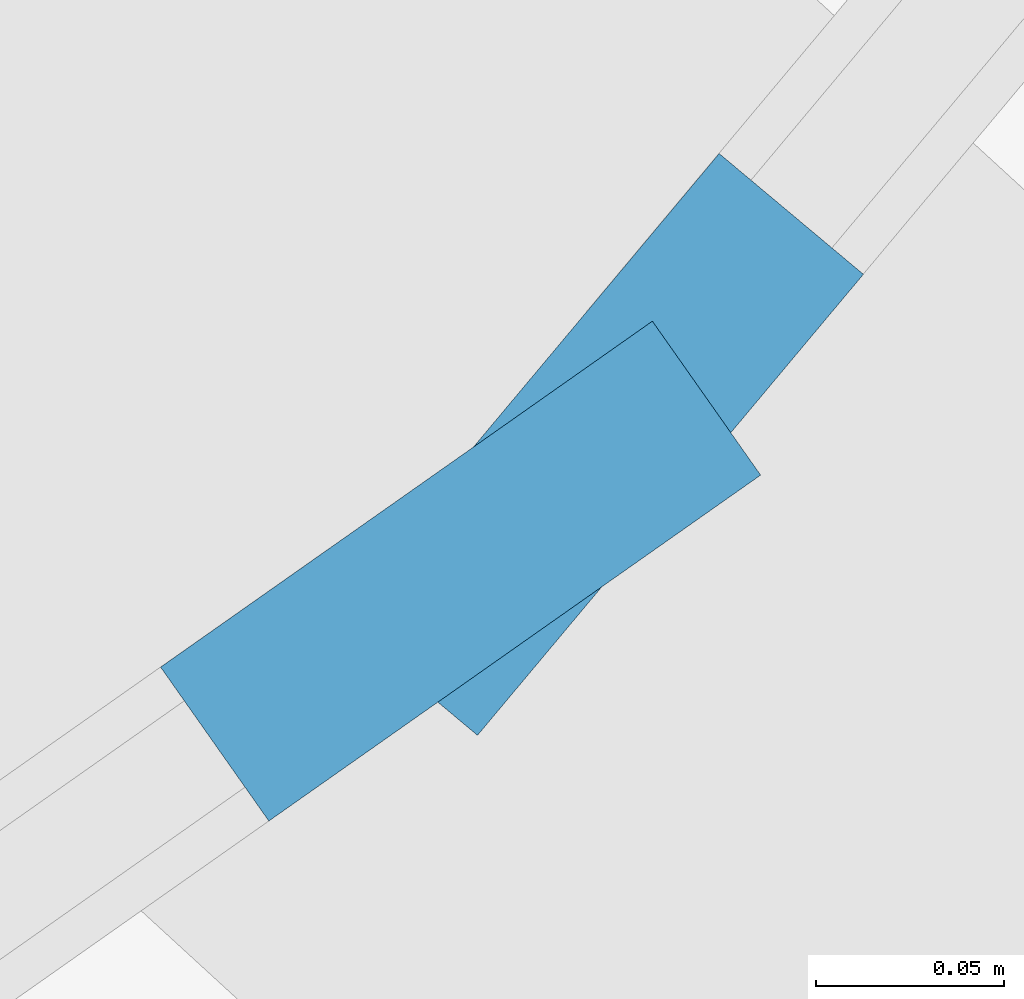
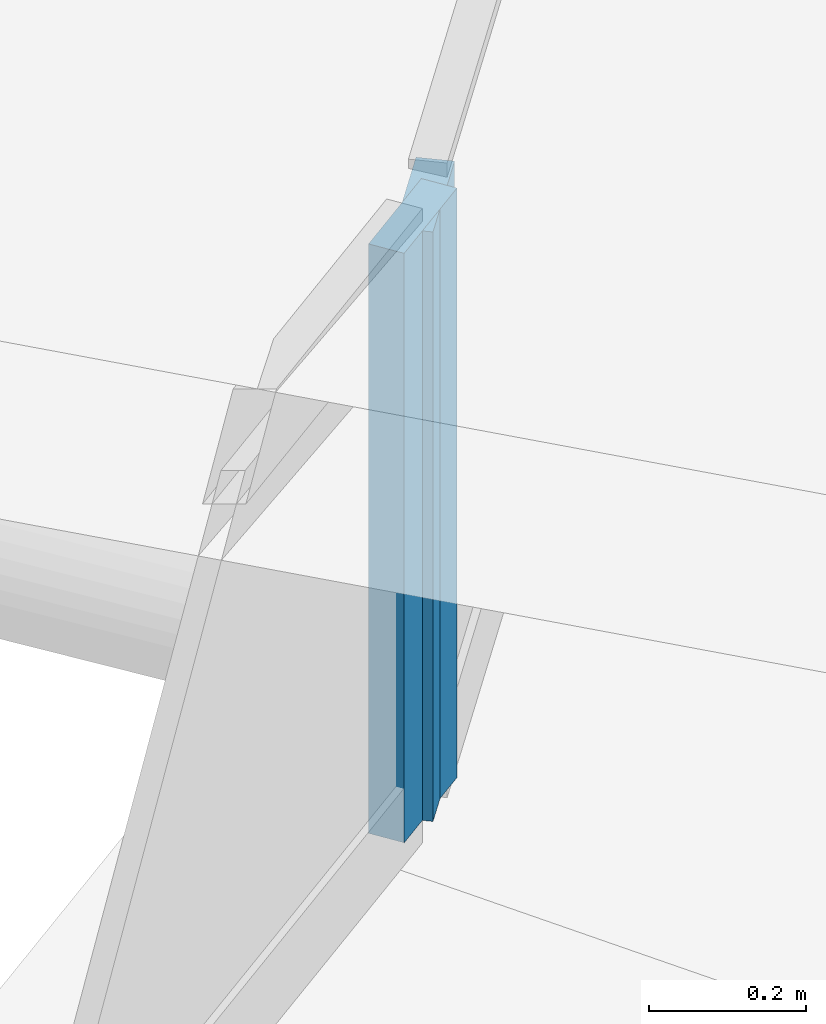
# One storey, part 128 of 173: 2 members, 2 elements without a shape of their own.
"""IFC4 building model written with IfcOpenShell, lengths in metres."""

import ifcopenshell
import ifcopenshell.guid

model = None  # the IFC model being written
_history = None  # IfcOwnerHistory: only IFC2X3 demands one
_inside = {}  # id of a spatial element -> (the spatial element, [elements in it])
_under = {}  # id of a project, library or spatial element -> (it, [spatial elements below it])
_declared = {}  # id of a project -> (the project, [libraries it declares])
_typed = {}  # id of a type object -> (the type object, [elements of that type])
_made_of = {}  # id of a material, layer set ... -> (it, [elements and type objects made of it])


def new_model(schema):
    """Start an empty IFC model of exactly this schema.

    Asked for "IFC4X3", IfcOpenShell would pick the latest addendum, in which some entities
    have other attributes; the version numbers below select the first issue.
    IFC2X3 requires an IfcOwnerHistory on every rooted entity: one is made here for all.
    """
    global model, _history
    if schema == "IFC4X3":
        model = ifcopenshell.file(schema_version=(4, 3, 0, 0))
    else:
        model = ifcopenshell.file(schema=schema)
    _inside.clear()
    _under.clear()
    _declared.clear()
    _typed.clear()
    _made_of.clear()
    _history = None
    if model.schema == "IFC2X3":
        org = make("IfcOrganization", Name="unknown")
        user = make(
            "IfcPersonAndOrganization",
            ThePerson=make("IfcPerson", FamilyName="unknown"),
            TheOrganization=org,
        )
        app = make(
            "IfcApplication",
            ApplicationDeveloper=org,
            Version="unknown",
            ApplicationFullName="unknown",
            ApplicationIdentifier="unknown",
        )
        _history = make(
            "IfcOwnerHistory",
            OwningUser=user,
            OwningApplication=app,
            ChangeAction="ADDED",
            CreationDate=0,
        )
    return model


def make(cls, **values):
    """One entity of the class cls with the attributes given. An attribute that is None is left unset."""
    return model.create_entity(
        cls, **{name: value for name, value in values.items() if value is not None}
    )


def rooted(cls, **values):
    """An entity with a GlobalId (a new one), such as an element, a storey or a relation."""
    return make(cls, GlobalId=ifcopenshell.guid.new(), OwnerHistory=_history, **values)


def si_unit(unit_type, name, prefix=None):
    """IfcSIUnit, for example si_unit("LENGTHUNIT", "METRE", prefix="MILLI")."""
    return make("IfcSIUnit", UnitType=unit_type, Prefix=prefix, Name=name)


def assignment(units):
    """IfcUnitAssignment: the units of a project."""
    return None if units is None else make("IfcUnitAssignment", Units=units)


def point(xyz):
    """IfcCartesianPoint."""
    return None if xyz is None else make("IfcCartesianPoint", Coordinates=xyz)


def direction(xyz):
    """IfcDirection."""
    return None if xyz is None else make("IfcDirection", DirectionRatios=xyz)


def frame(location, z_axis=None, x_axis=None):
    """IfcAxis2Placement3D, a coordinate frame: its origin and axes. An axis left out is left unset."""
    return make(
        "IfcAxis2Placement3D",
        Location=point(location),
        Axis=direction(z_axis),
        RefDirection=direction(x_axis),
    )


def frame_2d(location, x_axis=None):
    """IfcAxis2Placement2D, a coordinate frame in the plane: its origin and x axis."""
    return make(
        "IfcAxis2Placement2D", Location=point(location), RefDirection=direction(x_axis)
    )


def origin():
    """The frame at (0, 0, 0) with its axes left unset."""
    return frame((0.0, 0.0, 0.0))


def origin_2d():
    """The frame at (0, 0) in the plane with its x axis left unset."""
    return frame_2d((0.0, 0.0))


def place(relative_to, where):
    """IfcLocalPlacement: puts the frame where relative to a parent placement (None: the world)."""
    return make(
        "IfcLocalPlacement", PlacementRelTo=relative_to, RelativePlacement=where
    )


def context(
    kind, dimensions, precision=None, world=None, true_north=None, identifier=None
):
    """IfcGeometricRepresentationContext, for example the 3D "Model" context."""
    return make(
        "IfcGeometricRepresentationContext",
        ContextIdentifier=identifier,
        ContextType=kind,
        CoordinateSpaceDimension=dimensions,
        Precision=precision,
        WorldCoordinateSystem=world,
        TrueNorth=true_north,
    )


def subcontext(parent, identifier, kind, view, scale=None):
    """IfcGeometricRepresentationSubContext, for example "Body" below "Model"."""
    return make(
        "IfcGeometricRepresentationSubContext",
        ContextIdentifier=identifier,
        ContextType=kind,
        ParentContext=parent,
        TargetScale=scale,
        TargetView=view,
    )


def project(units=None, contexts=None):
    """IfcProject with its units and contexts."""
    return rooted(
        "IfcProject",
        Name="project",
        RepresentationContexts=contexts,
        UnitsInContext=assignment(units),
    )


def spatial(cls, under=None, at=None, **own):
    """A site, building, storey or space (cls), placed at a placement, below another one or the project."""
    s = rooted(cls, ObjectPlacement=at, **own)
    if under is not None:
        _under.setdefault(under.id(), (under, []))[1].append(s)
    return s


def profile(cls, at=None, kind="AREA", **sizes):
    """A parametric profile (cls). Its sizes go by their IFC names, for example OverallWidth=200.0."""
    return make(cls, ProfileType=kind, Position=at, **sizes)


def rectangle(**sizes):
    """IfcRectangleProfileDef."""
    return profile("IfcRectangleProfileDef", **sizes)


def extrude(swept, where, along, depth):
    """IfcExtrudedAreaSolid: the profile swept, set in the frame where, extruded along a direction by depth."""
    return make(
        "IfcExtrudedAreaSolid",
        SweptArea=swept,
        Position=where,
        ExtrudedDirection=direction(along),
        Depth=depth,
    )


def shape(context_of_items, identifier, shape_type, items):
    """IfcShapeRepresentation: the items that make up one representation, for example the "Body"."""
    return make(
        "IfcShapeRepresentation",
        ContextOfItems=context_of_items,
        RepresentationIdentifier=identifier,
        RepresentationType=shape_type,
        Items=items,
    )


def material(Name=None, Category=None):
    """IfcMaterial."""
    return make("IfcMaterial", Name=Name, Category=Category)


def material_profile(
    of_material, cross_section, Name=None, Category=None, Priority=None
):
    """IfcMaterialProfile: a cross section and its material."""
    return make(
        "IfcMaterialProfile",
        Name=Name,
        Material=of_material,
        Profile=cross_section,
        Priority=Priority,
        Category=Category,
    )


def profile_set(profiles, Name=None, composite=None):
    """IfcMaterialProfileSet."""
    return make(
        "IfcMaterialProfileSet",
        Name=Name,
        MaterialProfiles=profiles,
        CompositeProfile=composite,
    )


def made_of(thing, what):
    """Note that an element or type object is made of a material, layer set ...; save() writes the relation."""
    if what is not None:
        _made_of.setdefault(what.id(), (what, []))[1].append(thing)
    return thing


def type_object(cls, material=None, **own):
    """A type object (cls), such as IfcWallType, which elements share."""
    return made_of(rooted(cls, **own), material)


def element(
    cls,
    number,
    at=None,
    inside=None,
    cuts=None,
    type_object=None,
    material=None,
    context=None,
    identifier="Body",
    shape_type=None,
    held_by="IfcProductDefinitionShape",
    body=None,
    shapes=None,
    **own,
):
    """One element of the class cls, such as IfcWall. Its Tag is "e" and its number.

    at: its placement. inside: the storey or other place that contains it. cuts: it is an
    opening in that element (IfcRelVoidsElement). A single representation is given by context,
    identifier, shape_type and body (its items); several are given by shapes. held_by: the class
    of the entity that holds the representations. save() writes the other relations.
    """
    e = rooted(cls, Tag="e%d" % number, ObjectPlacement=at, **own)
    if body is not None:
        shapes = [shape(context, identifier, shape_type, body)]
    if shapes is not None:
        e.Representation = make(held_by, Representations=shapes)
    if inside is not None:
        _inside.setdefault(inside.id(), (inside, []))[1].append(e)
    if cuts is not None:
        rooted(
            "IfcRelVoidsElement", RelatingBuildingElement=cuts, RelatedOpeningElement=e
        )
    if type_object is not None:
        _typed.setdefault(type_object.id(), (type_object, []))[1].append(e)
    return made_of(e, material)


def aggregate(whole, parts):
    """IfcRelAggregates: a whole, such as a stair, and the parts it consists of."""
    return rooted("IfcRelAggregates", RelatingObject=whole, RelatedObjects=parts)


def save(model, path):
    """Write the relations noted so far, then the file.

    IfcRelAggregates (storeys below a building ...), IfcRelContainedInSpatialStructure (elements
    in a storey), IfcRelDefinesByType, IfcRelAssociatesMaterial and IfcRelDeclares: one each for
    every whole, place, type object, material and project.
    """
    for whole, parts in _under.values():
        aggregate(whole, parts)
    for where, things in _inside.values():
        rooted(
            "IfcRelContainedInSpatialStructure",
            RelatedElements=things,
            RelatingStructure=where,
        )
    for kind, things in _typed.values():
        rooted("IfcRelDefinesByType", RelatedObjects=things, RelatingType=kind)
    for what, things in _made_of.values():
        rooted("IfcRelAssociatesMaterial", RelatedObjects=things, RelatingMaterial=what)
    for by, libraries in _declared.values():
        rooted("IfcRelDeclares", RelatingContext=by, RelatedDefinitions=libraries)
    model.write(path)


model = new_model("IFC4")

# Units and contexts
model_context = context("Model", 3, precision=1e-05, world=origin(), true_north=direction((0.0, 1.0)))
body_context = subcontext(model_context, "Body", "Model", "MODEL_VIEW")
ifc_project = project(units=[si_unit("LENGTHUNIT", "METRE"), si_unit("AREAUNIT", "SQUARE_METRE"), si_unit("VOLUMEUNIT", "CUBIC_METRE"), si_unit("PLANEANGLEUNIT", "RADIAN"), si_unit("MASSUNIT", "GRAM", prefix="KILO")], contexts=[model_context])

# Site, building, storey
site_placement = place(None, origin())
site = spatial("IfcSite", under=ifc_project, at=site_placement, CompositionType="ELEMENT")
building_placement = place(site_placement, origin())
building = spatial("IfcBuilding", under=site, at=building_placement, Name="Glasvene Arena", CompositionType="ELEMENT")
storey_placement = place(building_placement, frame((0.0, 0.0, 28.800048828125)))
storey = spatial("IfcBuildingStorey", under=building, at=storey_placement, Name="RF", CompositionType="ELEMENT", Elevation=28.800048828125)

# Curtain wall, member
ifc_material_1 = material(Name="Low-emissivity laminated double glazing", Category="glass")
curtain_wall_type_1 = type_object("IfcCurtainWallType", Name="CW-PET4-608x92", PredefinedType="USERDEFINED", material=ifc_material_1)
curtain_wall_1_placement = place(storey_placement, frame((99.64990234375, 50.497314453125, 0.0)))
curtain_wall_1 = element("IfcCurtainWall", 1, at=curtain_wall_1_placement, inside=storey, type_object=curtain_wall_type_1, Name="Petal ring 4-5 clerestory curtain wall 21", ObjectType="CURTAIN WALL", PredefinedType="USERDEFINED")
ifc_material_2 = material(Name="Anodised architectural aluminium", Category="aluminium")
ifc_material_profile = material_profile(ifc_material_2, rectangle(XDim=0.050048828125, YDim=0.159912109375, at=origin_2d()), Name="ALU MULLION 50x160")
ifc_profile_set = profile_set([ifc_material_profile], Name="Anodised architectural aluminium")
member_type = type_object("IfcMemberType", Name="CW-MUL-150", PredefinedType="MULLION", material=ifc_profile_set)
member_1_placement = place(storey_placement, frame((104.60009765625, 53.979248046875, 10.530029296875), z_axis=(0.0, 0.0, 1.0), x_axis=(-0.575325052204, 0.817924864707, 0.0)))
member_1 = element("IfcMember", 2, at=member_1_placement, type_object=member_type, Name="CW-102 mullion 4", PredefinedType="MULLION", context=body_context, shape_type="SweptSolid", body=[
    extrude(rectangle(XDim=0.050048828125, YDim=0.159912109375, at=origin_2d()), origin(), (0.0, 0.0, 1.0), 0.916015625),
])
aggregate(curtain_wall_1, [member_1])

curtain_wall_type_2 = type_object("IfcCurtainWallType", Name="CW-PET4-594x92", PredefinedType="USERDEFINED", material=ifc_material_1)
curtain_wall_2_placement = place(storey_placement, frame((104.62060546875, 53.99365234375, 0.0)))
curtain_wall_2 = element("IfcCurtainWall", 3, at=curtain_wall_2_placement, inside=storey, type_object=curtain_wall_type_2, Name="Petal ring 4-5 clerestory curtain wall 22", ObjectType="CURTAIN WALL", PredefinedType="USERDEFINED")
member_2_placement = place(storey_placement, frame((104.63671875, 54.012939453125, 10.530029296875), z_axis=(0.0, 0.0, 1.0), x_axis=(-0.766805446496, 0.64187958935, 0.0)))
member_2 = element("IfcMember", 4, at=member_2_placement, type_object=member_type, Name="CW-101 mullion 1", PredefinedType="MULLION", context=body_context, shape_type="SweptSolid", body=[
    extrude(rectangle(XDim=0.050048828125, YDim=0.159912109375, at=origin_2d()), origin(), (0.0, 0.0, 1.0), 0.916015625),
])
aggregate(curtain_wall_2, [member_2])

save(model, "model.ifc")
